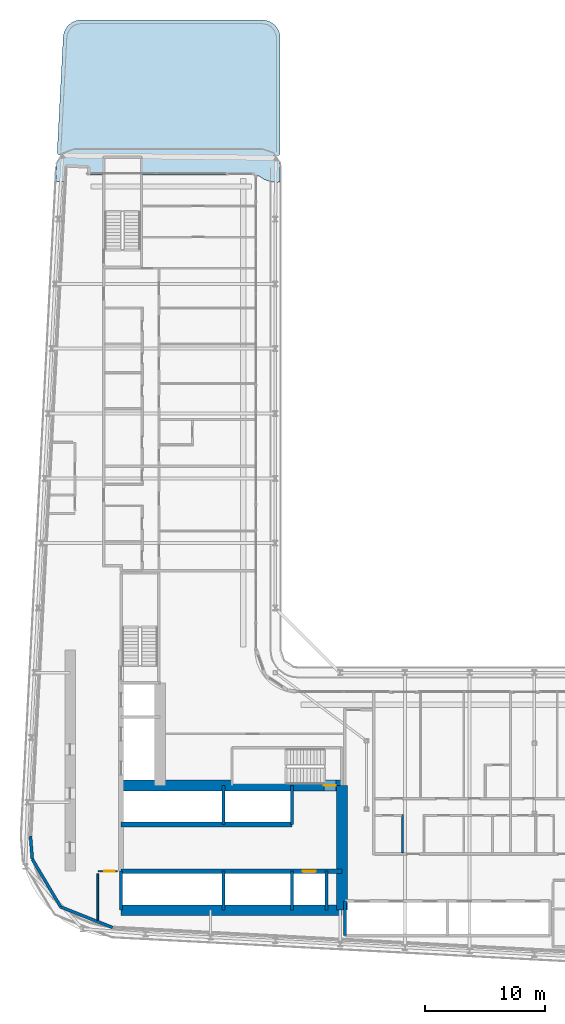
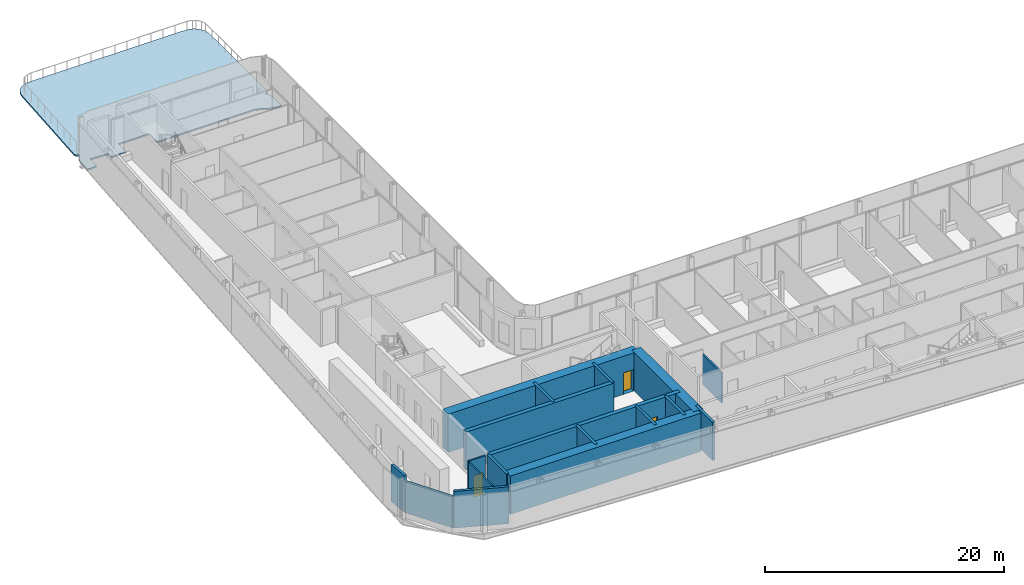
# One storey, part 12 of 28: 18 walls, 3 doors, 1 slab, 3 openings.
"""IFC4 building model written with IfcOpenShell, lengths in metres."""

from ifc_helpers import new_model, si_unit, direction, frame, frame_2d, origin, place, context, subcontext, project, spatial, polyline, rectangle, outline, extrude, source, transform, mapped, material, layer, layer_set, type_object, element, fill, save


model = new_model("IFC4")

# Units and contexts
model_context = context("Model", 3, precision=1e-05, world=origin(), true_north=direction((0.0, 1.0)))
body_context = subcontext(model_context, "Body", "Model", "MODEL_VIEW")
ifc_project = project(units=[si_unit("LENGTHUNIT", "METRE"), si_unit("AREAUNIT", "SQUARE_METRE"), si_unit("VOLUMEUNIT", "CUBIC_METRE"), si_unit("PLANEANGLEUNIT", "RADIAN"), si_unit("MASSUNIT", "GRAM", prefix="KILO")], contexts=[model_context])

# Site, building, storey
site_placement = place(None, origin())
site = spatial("IfcSite", under=ifc_project, at=site_placement, CompositionType="ELEMENT")
building_placement = place(site_placement, origin())
building = spatial("IfcBuilding", under=site, at=building_placement, Name="Kheshtan School and Residences Tower", CompositionType="ELEMENT")
storey_placement = place(building_placement, frame((0.0, 0.0, 94.10009765625)))
storey = spatial("IfcBuildingStorey", under=building, at=storey_placement, Name="L21", CompositionType="ELEMENT", Elevation=94.10009765625)

# Slab
ifc_material_1 = material(Name="Concrete C40/50", Category="concrete")
ifc_layer_1 = layer(ifc_material_1, 0.14990234375)
ifc_layer_set_1 = layer_set([ifc_layer_1], Name="Terrace slab 150 Concrete C40/50")
slab_type = type_object("IfcSlabType", Name="Terrace slab 150 Concrete C40/50", PredefinedType="FLOOR", material=ifc_layer_set_1)
slab_placement = place(storey_placement, frame((0.0, 0.0, -0.150146484375)))
element("IfcSlab", 1, at=slab_placement, inside=storey, type_object=slab_type, Name="Terrace slab L21", PredefinedType="FLOOR", context=body_context, shape_type="SweptSolid", body=[
    extrude(outline(polyline([(29.29296875, 86.568115234375), (29.35693359375, 87.779052734375), (29.363037109375, 87.826904296875), (29.363037109375, 87.827880859375), (29.362060546875, 87.827880859375), (29.362060546875, 87.8291015625), (29.361083984375, 87.8291015625), (29.361083984375, 87.830078125), (29.360107421875, 87.830078125), (29.360107421875, 87.8310546875), (29.35888671875, 87.8310546875), (29.35888671875, 87.83203125), (29.35888671875, 87.8330078125), (29.376953125, 87.98095703125), (29.376953125, 87.98388671875), (29.376953125, 87.985107421875), (29.3779296875, 87.985107421875), (29.3779296875, 87.986083984375), (29.37890625, 87.986083984375), (29.37890625, 87.987060546875), (29.3798828125, 87.987060546875), (29.381103515625, 87.987060546875), (29.381103515625, 87.988037109375), (29.382080078125, 87.988037109375), (29.43505859375, 88.18408203125), (29.514892578125, 88.375), (29.62109375, 88.552978515625), (29.7470703125, 88.7109375), (29.748046875, 88.7109375), (29.748046875, 88.7119140625), (29.7490234375, 88.7119140625), (29.7490234375, 88.712890625), (29.75, 88.712890625), (29.75, 88.714111328125), (29.81494140625, 88.777099609375), (29.81591796875, 88.777099609375), (29.81591796875, 88.778076171875), (29.81591796875, 88.779052734375), (29.81494140625, 88.779052734375), (29.81494140625, 88.780029296875), (29.81396484375, 88.780029296875), (29.81298828125, 88.780029296875), (29.803955078125, 88.77294921875), (29.781982421875, 88.760986328125), (29.759033203125, 88.7509765625), (29.739013671875, 88.743896484375), (29.736083984375, 88.743896484375), (29.7109375, 88.738037109375), (29.68701171875, 88.736083984375), (29.662109375, 88.735107421875), (29.636962890625, 88.737060546875), (29.613037109375, 88.741943359375), (29.610107421875, 88.741943359375), (29.589111328125, 88.7490234375), (29.56591796875, 88.758056640625), (29.5439453125, 88.77001953125), (29.52294921875, 88.782958984375), (29.507080078125, 88.7958984375), (29.507080078125, 88.797119140625), (29.506103515625, 88.797119140625), (29.506103515625, 88.798095703125), (29.5048828125, 88.798095703125), (29.5048828125, 88.799072265625), (29.50390625, 88.799072265625), (29.487060546875, 88.81591796875), (29.487060546875, 88.81689453125), (29.486083984375, 88.81689453125), (29.486083984375, 88.818115234375), (29.485107421875, 88.818115234375), (29.485107421875, 88.819091796875), (29.48388671875, 88.819091796875), (29.470947265625, 88.8349609375), (29.45703125, 88.85595703125), (29.445068359375, 88.8779296875), (29.43603515625, 88.90087890625), (29.427978515625, 88.9208984375), (29.427978515625, 88.924072265625), (29.424072265625, 88.948974609375), (29.4208984375, 88.972900390625), (29.4208984375, 88.998046875), (29.924072265625, 98.570068359375), (29.926025390625, 98.5869140625), (29.947998046875, 98.76708984375), (29.9541015625, 98.801025390625), (29.9541015625, 98.803955078125), (29.998046875, 98.967041015625), (30.010009765625, 99.0009765625), (30.077880859375, 99.159912109375), (30.092041015625, 99.18798828125), (30.178955078125, 99.3369140625), (30.18896484375, 99.35302734375), (30.199951171875, 99.367919921875), (30.304931640625, 99.4990234375), (30.305908203125, 99.4990234375), (30.305908203125, 99.5), (30.306884765625, 99.5), (30.306884765625, 99.5009765625), (30.30810546875, 99.5009765625), (30.30810546875, 99.501953125), (30.3310546875, 99.52587890625), (30.4560546875, 99.64501953125), (30.45703125, 99.64501953125), (30.45703125, 99.64599609375), (30.4580078125, 99.64599609375), (30.4580078125, 99.64697265625), (30.458984375, 99.64697265625), (30.458984375, 99.64794921875), (30.48291015625, 99.66796875), (30.6220703125, 99.76708984375), (30.65087890625, 99.783935546875), (30.804931640625, 99.864990234375), (30.8369140625, 99.87890625), (30.9990234375, 99.93701171875), (31.028076171875, 99.947021484375), (31.031005859375, 99.947021484375), (31.199951171875, 99.98291015625), (31.235107421875, 99.987060546875), (31.4140625, 99.9990234375), (31.430908203125, 100.0), (46.491943359375, 100.0), (46.508056640625, 99.9990234375), (46.678955078125, 99.988037109375), (46.7119140625, 99.98388671875), (46.8720703125, 99.951904296875), (46.903076171875, 99.944091796875), (46.906005859375, 99.944091796875), (47.05810546875, 99.89208984375), (47.089111328125, 99.87890625), (47.236083984375, 99.805908203125), (47.263916015625, 99.7900390625), (47.39990234375, 99.698974609375), (47.425048828125, 99.679931640625), (47.544921875, 99.575927734375), (47.544921875, 99.574951171875), (47.5458984375, 99.574951171875), (47.5458984375, 99.573974609375), (47.547119140625, 99.573974609375), (47.547119140625, 99.572998046875), (47.548095703125, 99.572998046875), (47.572998046875, 99.548095703125), (47.572998046875, 99.547119140625), (47.573974609375, 99.547119140625), (47.573974609375, 99.5458984375), (47.574951171875, 99.5458984375), (47.574951171875, 99.544921875), (47.575927734375, 99.544921875), (47.679931640625, 99.425048828125), (47.698974609375, 99.39990234375), (47.7900390625, 99.263916015625), (47.805908203125, 99.236083984375), (47.87890625, 99.089111328125), (47.89208984375, 99.05810546875), (47.944091796875, 98.906005859375), (47.944091796875, 98.903076171875), (47.951904296875, 98.8720703125), (47.98388671875, 98.7119140625), (47.988037109375, 98.678955078125), (47.9990234375, 98.508056640625), (48.0, 98.491943359375), (48.0, 88.924072265625), (47.9990234375, 88.89892578125), (47.9951171875, 88.875), (47.989013671875, 88.85107421875), (47.989013671875, 88.847900390625), (47.98095703125, 88.827880859375), (47.969970703125, 88.805908203125), (47.9580078125, 88.784912109375), (47.946044921875, 88.76806640625), (47.945068359375, 88.76806640625), (47.945068359375, 88.76708984375), (47.944091796875, 88.76708984375), (47.944091796875, 88.76611328125), (47.943115234375, 88.76611328125), (47.943115234375, 88.764892578125), (47.927001953125, 88.7470703125), (47.908935546875, 88.73095703125), (47.907958984375, 88.73095703125), (47.907958984375, 88.72998046875), (47.906982421875, 88.72998046875), (47.906982421875, 88.72900390625), (47.906005859375, 88.72900390625), (47.906005859375, 88.72802734375), (47.888916015625, 88.716064453125), (47.867919921875, 88.7041015625), (47.845947265625, 88.693115234375), (47.825927734375, 88.68505859375), (47.822998046875, 88.68505859375), (47.799072265625, 88.678955078125), (47.77490234375, 88.675048828125), (47.75, 88.674072265625), (47.72509765625, 88.675048828125), (47.700927734375, 88.678955078125), (47.677001953125, 88.68505859375), (47.674072265625, 88.68505859375), (47.654052734375, 88.693115234375), (47.632080078125, 88.7041015625), (47.611083984375, 88.716064453125), (47.595947265625, 88.72705078125), (47.594970703125, 88.72705078125), (47.593994140625, 88.72705078125), (47.593994140625, 88.72607421875), (47.593017578125, 88.72607421875), (47.593017578125, 88.72509765625), (47.593017578125, 88.72412109375), (47.68701171875, 88.615966796875), (47.68798828125, 88.615966796875), (47.68798828125, 88.614990234375), (47.68896484375, 88.614990234375), (47.68896484375, 88.614013671875), (47.68994140625, 88.614013671875), (47.694091796875, 88.614013671875), (47.695068359375, 88.614013671875), (47.695068359375, 88.613037109375), (47.696044921875, 88.613037109375), (47.696044921875, 88.612060546875), (47.799072265625, 88.45703125), (47.800048828125, 88.45703125), (47.800048828125, 88.4560546875), (47.801025390625, 88.4560546875), (47.801025390625, 88.455078125), (47.802001953125, 88.455078125), (47.802001953125, 88.4541015625), (47.802978515625, 88.4541015625), (47.802978515625, 88.452880859375), (47.802978515625, 88.449951171875), (47.802978515625, 88.448974609375), (47.802001953125, 88.448974609375), (47.802001953125, 88.447998046875), (47.801025390625, 88.447998046875), (47.801025390625, 88.447021484375), (47.801025390625, 88.446044921875), (47.801025390625, 88.445068359375), (47.885986328125, 88.27392578125), (47.948974609375, 88.091064453125), (47.948974609375, 88.087890625), (47.987060546875, 87.89599609375), (48.0, 87.699951171875), (48.0, 86.491943359375), (48.0, 86.490966796875), (47.9990234375, 86.490966796875), (47.863037109375, 86.47705078125), (47.837890625, 86.47607421875), (47.662109375, 86.47607421875), (47.636962890625, 86.47705078125), (47.363037109375, 86.5048828125), (47.339111328125, 86.509033203125), (47.1669921875, 86.544921875), (47.14306640625, 86.551025390625), (47.139892578125, 86.551025390625), (46.9541015625, 86.60693359375), (46.930908203125, 86.614990234375), (46.669921875, 86.72509765625), (46.64794921875, 86.736083984375), (46.5400390625, 86.7939453125), (46.51904296875, 86.805908203125), (46.291015625, 86.9560546875), (46.27099609375, 86.970947265625), (46.237060546875, 86.9990234375), (46.236083984375, 86.9990234375), (45.90087890625, 86.9990234375), (45.89990234375, 86.9990234375), (45.89990234375, 87.0), (45.89990234375, 87.097900390625), (45.89990234375, 87.09912109375), (45.89892578125, 87.09912109375), (45.89892578125, 87.10009765625), (45.89794921875, 87.10009765625), (36.35009765625, 87.10009765625), (36.35009765625, 88.4599609375), (33.39990234375, 88.4599609375), (33.39990234375, 87.10009765625), (31.925048828125, 87.10009765625), (31.924072265625, 87.10009765625), (31.952880859375, 87.639892578125), (31.952880859375, 87.64111328125), (31.951904296875, 87.64111328125), (31.951904296875, 87.64208984375), (31.950927734375, 87.64208984375), (31.949951171875, 87.64208984375), (30.260009765625, 87.73193359375), (30.259033203125, 87.73193359375), (30.259033203125, 87.73095703125), (30.258056640625, 87.73095703125), (30.258056640625, 87.72998046875), (30.258056640625, 87.72900390625), (30.25390625, 87.700927734375), (30.196044921875, 86.593994140625), (30.196044921875, 86.593017578125), (30.195068359375, 86.593017578125), (30.06005859375, 86.56591796875), (29.89404296875, 86.5458984375), (29.8701171875, 86.5439453125), (29.77490234375, 86.5380859375), (29.75, 86.537109375), (29.487060546875, 86.5419921875), (29.4619140625, 86.5439453125), (29.2939453125, 86.568115234375), (29.29296875, 86.568115234375)])), origin(), (0.0, 0.0, 1.0), 0.150146484375),
])

# Wall, opening, door
ifc_material_2 = material(Name="Concrete C50/60", Category="concrete")
ifc_layer_2 = layer(ifc_material_2, 0.39990234375)
ifc_layer_set_2 = layer_set([ifc_layer_2], Name="Core wall 400 Concrete C50/60")
wall_type_1 = type_object("IfcWallType", Name="Core wall 400 Concrete C50/60", PredefinedType="SHEAR", material=ifc_layer_set_2)
wall_1_placement = place(storey_placement, frame((34.75, 29.050048828125, 0.0), z_axis=(0.0, 0.0, 1.0), x_axis=(1.0, 0.0, 0.0)))
wall_1 = element("IfcWall", 2, at=wall_1_placement, inside=storey, type_object=wall_type_1, Name="Core wall CW-HALL-S1", PredefinedType="SHEAR", context=body_context, shape_type="SweptSolid", body=[
    extrude(rectangle(XDim=18.39990234375, YDim=0.39990234375, at=frame_2d((9.199951171875, 0.0))), origin(), (0.0, 0.0, 1.0), 3.89990234375),
])
opening_1_placement = place(wall_1_placement, frame((15.125, 0.0, 0.0)))
opening_1 = element("IfcOpeningElement", 3, at=opening_1_placement, cuts=wall_1, Name="Opening LD", PredefinedType="OPENING", context=body_context, shape_type="SweptSolid", body=[
    extrude(rectangle(XDim=1.10009765625, YDim=2.199951171875, at=frame_2d((0.550048828125, 1.10009765625))), frame((0.0, 0.2099609375, 0.0), z_axis=(0.0, -1.0, 0.0), x_axis=(1.0, 0.0, 0.0)), (0.0, 0.0, 1.0), 0.419921875),
])
ifc_material_3 = material(Name="Stainless steel door leaves", Category="steel")
door_type_1 = type_object("IfcDoorType", Name="Lift landing door 1100", OperationType="SLIDING_TO_LEFT", PredefinedType="DOOR", material=ifc_material_3)
shared_shape_1 = source(origin(), body_context, "Body", "SweptSolid", [
    extrude(rectangle(XDim=1.10009765625, YDim=2.199951171875, at=frame_2d((0.550048828125, 1.10009765625))), frame((0.0, 0.02490234375, 0.0), z_axis=(0.0, -1.0, 0.0), x_axis=(1.0, 0.0, 0.0)), (0.0, 0.0, 1.0), 0.050048828125),
])
door_1_placement = place(opening_1_placement, origin())
door_1 = element("IfcDoor", 4, at=door_1_placement, inside=storey, type_object=door_type_1, Name="Lift FFL2 landing door", OperationType="SLIDING_TO_LEFT", OverallHeight=2.199951171875, OverallWidth=1.10009765625, PredefinedType="DOOR", context=body_context, shape_type="MappedRepresentation", body=[
    mapped(shared_shape_1, transform((0.0, 0.0, 0.0), x_axis=(1.0, 0.0, 0.0), y_axis=(0.0, 1.0, 0.0), z_axis=(0.0, 0.0, 1.0), scale=1.0)),
])
fill(opening_1, door_1)

# Walls
wall_2_placement = place(storey_placement, frame((34.75, 32.949951171875, 0.0), z_axis=(0.0, 0.0, 1.0), x_axis=(1.0, 0.0, 0.0)))
element("IfcWall", 5, at=wall_2_placement, inside=storey, type_object=wall_type_1, Name="Core wall CW-HALL-S2", PredefinedType="SHEAR", context=body_context, shape_type="SweptSolid", body=[
    extrude(rectangle(XDim=14.25, YDim=0.39990234375, at=frame_2d((7.125, 0.0))), origin(), (0.0, 0.0, 1.0), 3.89990234375),
])
ifc_material_4 = material(Name="Concrete C80/95", Category="concrete")
ifc_layer_3 = layer(ifc_material_4, 0.89990234375)
ifc_layer_set_3 = layer_set([ifc_layer_3], Name="Core wall 900 Concrete C80/95")
wall_type_2 = type_object("IfcWallType", Name="Core wall 900 Concrete C80/95", PredefinedType="SHEAR", material=ifc_layer_set_3)
wall_3_placement = place(storey_placement, frame((34.75, 25.800048828125, 0.0), z_axis=(0.0, 0.0, 1.0), x_axis=(1.0, 0.0, 0.0)))
element("IfcWall", 6, at=wall_3_placement, inside=storey, type_object=wall_type_2, Name="Core wall CW-REAR-S", PredefinedType="SHEAR", context=body_context, shape_type="SweptSolid", body=[
    extrude(rectangle(XDim=18.39990234375, YDim=0.89990234375, at=frame_2d((9.199951171875, 0.0))), origin(), (0.0, 0.0, 1.0), 3.89990234375),
])

# Wall, opening, door
wall_4_placement = place(storey_placement, frame((34.75, 36.199951171875, 0.0), z_axis=(0.0, 0.0, 1.0), x_axis=(1.0, 0.0, 0.0)))
wall_4 = element("IfcWall", 7, at=wall_4_placement, inside=storey, type_object=wall_type_2, Name="Core wall CW-FRONT-S", PredefinedType="SHEAR", context=body_context, shape_type="SweptSolid", body=[
    extrude(rectangle(XDim=18.39990234375, YDim=0.89990234375, at=frame_2d((9.199951171875, 0.0))), origin(), (0.0, 0.0, 1.0), 3.89990234375),
])
opening_2_placement = place(wall_4_placement, frame((16.89990234375, 0.0, 0.0)))
opening_2 = element("IfcOpeningElement", 8, at=opening_2_placement, cuts=wall_4, Name="Opening ST1D", PredefinedType="OPENING", context=body_context, shape_type="SweptSolid", body=[
    extrude(rectangle(XDim=1.0, YDim=2.199951171875, at=frame_2d((0.5, 1.10009765625))), frame((0.0, 0.4599609375, 0.0), z_axis=(0.0, -1.0, 0.0), x_axis=(1.0, 0.0, 0.0)), (0.0, 0.0, 1.0), 0.919921875),
])
ifc_material_5 = material(Name="Steel door leaf, galvanised", Category="steel")
door_type_2 = type_object("IfcDoorType", Name="Stair door 1100 steel 90 min", OperationType="SINGLE_SWING_LEFT", PredefinedType="DOOR", material=ifc_material_5)
shared_shape_2 = source(origin(), body_context, "Body", "SweptSolid", [
    extrude(rectangle(XDim=1.0, YDim=2.199951171875, at=frame_2d((0.5, 1.10009765625))), frame((0.0, 0.02490234375, 0.0), z_axis=(0.0, -1.0, 0.0), x_axis=(1.0, 0.0, 0.0)), (0.0, 0.0, 1.0), 0.050048828125),
])
door_2_placement = place(opening_2_placement, origin())
door_2 = element("IfcDoor", 9, at=door_2_placement, inside=storey, type_object=door_type_2, Name="Stair ST1 door", OperationType="SINGLE_SWING_RIGHT", OverallHeight=2.199951171875, OverallWidth=1.0, PredefinedType="DOOR", context=body_context, shape_type="MappedRepresentation", body=[
    mapped(shared_shape_2, transform((0.0, 0.0, 0.0), x_axis=(1.0, 0.0, 0.0), y_axis=(0.0, 1.0, 0.0), z_axis=(0.0, 0.0, 1.0), scale=1.0)),
])
fill(opening_2, door_2)

# Walls
wall_5_placement = place(storey_placement, frame((53.14990234375, 25.800048828125, 0.0), z_axis=(0.0, 0.0, 1.0), x_axis=(0.0, 1.0, 0.0)))
element("IfcWall", 10, at=wall_5_placement, inside=storey, type_object=wall_type_2, Name="Core wall CW-EAST", PredefinedType="SHEAR", context=body_context, shape_type="SweptSolid", body=[
    extrude(rectangle(XDim=10.39990234375, YDim=0.89990234375, at=frame_2d((5.199951171875, 0.0))), origin(), (0.0, 0.0, 1.0), 3.89990234375),
])
ifc_material_6 = material(Name="Concrete C40/50 with ceramic cladding and mineral wool insulation", Category="concrete")
ifc_layer_4 = layer(ifc_material_6, 0.25)
ifc_layer_set_4 = layer_set([ifc_layer_4], Name="External wall 250 ceramic clad")
wall_type_3 = type_object("IfcWallType", Name="External wall 250 ceramic clad", PredefinedType="SOLIDWALL", material=ifc_layer_set_4)
wall_6_placement = place(storey_placement, frame((34.0390625, 24.35302734375, 0.0), z_axis=(0.0, 0.0, 1.0), x_axis=(-0.929352825399, 0.369192803184, 0.0)))
element("IfcWall", 11, at=wall_6_placement, inside=storey, type_object=wall_type_3, Name="External wall L21 13", PredefinedType="SOLIDWALL", context=body_context, shape_type="SweptSolid", body=[
    extrude(rectangle(XDim=4.656005859375, YDim=0.25, at=frame_2d((2.328125, 0.0))), origin(), (0.0, 0.0, 1.0), 3.75),
])
wall_7_placement = place(storey_placement, frame((29.7119140625, 26.072021484375, 0.0), z_axis=(0.0, 0.0, 1.0), x_axis=(-0.511028049012, 0.859564036662, 0.0)))
element("IfcWall", 12, at=wall_7_placement, inside=storey, type_object=wall_type_3, Name="External wall L21 14", PredefinedType="SOLIDWALL", context=body_context, shape_type="SweptSolid", body=[
    extrude(rectangle(XDim=4.633544921875, YDim=0.25, at=frame_2d((2.31689453125, 0.0))), origin(), (0.0, 0.0, 1.0), 3.14697265625),
])
wall_8_placement = place(storey_placement, frame((27.343994140625, 30.054931640625, 0.0), z_axis=(0.0, 0.0, 1.0), x_axis=(-0.077571675317, 0.99698677784, 0.0)))
element("IfcWall", 13, at=wall_8_placement, inside=storey, type_object=wall_type_3, Name="External wall L21 15", PredefinedType="SOLIDWALL", context=body_context, shape_type="SweptSolid", body=[
    extrude(rectangle(XDim=1.919921875, YDim=0.25, at=frame_2d((0.9599609375, 0.0))), origin(), (0.0, 0.0, 1.0), 3.75),
])

# Wall, opening, door
ifc_material_7 = material(Name="Fire-board shaft wall system")
ifc_layer_5 = layer(ifc_material_7, 0.14990234375)
ifc_layer_set_5 = layer_set([ifc_layer_5], Name="Service room wall 150")
wall_type_4 = type_object("IfcWallType", Name="Service room wall 150", PredefinedType="PARTITIONING", material=ifc_layer_set_5)
wall_9_placement = place(storey_placement, frame((32.804931640625, 29.050048828125, 0.0), z_axis=(0.0, 0.0, 1.0), x_axis=(1.0, 0.0, 0.0)))
wall_9 = element("IfcWall", 14, at=wall_9_placement, inside=storey, type_object=wall_type_4, Name="Service room wall", PredefinedType="PARTITIONING", context=body_context, shape_type="SweptSolid", body=[
    extrude(rectangle(XDim=1.625, YDim=0.14990234375, at=frame_2d((0.8125, 0.0))), origin(), (0.0, 0.0, 1.0), 3.89990234375),
])
opening_3_placement = place(wall_9_placement, frame((0.52294921875, 0.0, 0.0)))
opening_3 = element("IfcOpeningElement", 15, at=opening_3_placement, cuts=wall_9, Name="Opening SR90", PredefinedType="OPENING", context=body_context, shape_type="SweptSolid", body=[
    extrude(rectangle(XDim=0.89990234375, YDim=2.199951171875, at=frame_2d((0.449951171875, 1.10009765625))), frame((0.0, 0.0849609375, 0.0), z_axis=(0.0, -1.0, 0.0), x_axis=(1.0, 0.0, 0.0)), (0.0, 0.0, 1.0), 0.169921875),
])
door_type_3 = type_object("IfcDoorType", Name="Service room door 900 steel 90 min", OperationType="SINGLE_SWING_LEFT", PredefinedType="DOOR", material=ifc_material_5)
shared_shape_3 = source(origin(), body_context, "Body", "SweptSolid", [
    extrude(rectangle(XDim=0.89990234375, YDim=2.199951171875, at=frame_2d((0.449951171875, 1.10009765625))), frame((0.0, 0.02490234375, 0.0), z_axis=(0.0, -1.0, 0.0), x_axis=(1.0, 0.0, 0.0)), (0.0, 0.0, 1.0), 0.050048828125),
])
door_3_placement = place(opening_3_placement, origin())
door_3 = element("IfcDoor", 16, at=door_3_placement, inside=storey, type_object=door_type_3, Name="Service room door", OperationType="SINGLE_SWING_LEFT", OverallHeight=2.199951171875, OverallWidth=0.89990234375, PredefinedType="DOOR", context=body_context, shape_type="MappedRepresentation", body=[
    mapped(shared_shape_3, transform((0.0, 0.0, 0.0), x_axis=(1.0, 0.0, 0.0), y_axis=(0.0, 1.0, 0.0), z_axis=(0.0, 0.0, 1.0), scale=1.0)),
])
fill(opening_3, door_3)

# Walls
wall_10_placement = place(storey_placement, frame((32.804931640625, 24.97998046875, 0.0), z_axis=(0.0, 0.0, 1.0), x_axis=(0.0, 1.0, 0.0)))
element("IfcWall", 17, at=wall_10_placement, inside=storey, type_object=wall_type_4, Name="Service room wall", PredefinedType="PARTITIONING", context=body_context, shape_type="SweptSolid", body=[
    extrude(rectangle(XDim=3.875, YDim=0.14990234375, at=frame_2d((1.9375, 0.0))), origin(), (0.0, 0.0, 1.0), 3.89990234375),
])
ifc_layer_6 = layer(ifc_material_7, 0.25)
ifc_layer_set_6 = layer_set([ifc_layer_6], Name="Shaft lining wall 250")
wall_type_5 = type_object("IfcWallType", Name="Shaft lining wall 250", PredefinedType="PARTITIONING", material=ifc_layer_set_6)
for number, where, z_axis, x_axis, name in (
    (18, (34.75, 25.800048828125, 0.0), (0.0, 0.0, 1.0), (0.0, 1.0, 0.0), "Shaft lining wall"),
    (19, (43.300048828125, 25.800048828125, 0.0), (0.0, 0.0, 1.0), (0.0, 1.0, 0.0), "Shaft lining wall"),
    (20, (43.300048828125, 32.949951171875, 0.0), (0.0, 0.0, 1.0), (0.0, 1.0, 0.0), "Shaft lining wall"),
    (21, (49.0, 25.800048828125, 0.0), (0.0, 0.0, 1.0), (0.0, 1.0, 0.0), "Shaft lining wall"),
    (22, (49.0, 32.949951171875, 0.0), (0.0, 0.0, 1.0), (0.0, 1.0, 0.0), "Shaft lining wall"),
    (23, (51.85009765625, 25.800048828125, 0.0), (0.0, 0.0, 1.0), (0.0, 1.0, 0.0), "Shaft lining wall"),
):
    element("IfcWall", number, at=place(storey_placement, frame(where, z_axis=z_axis, x_axis=x_axis)), inside=storey, type_object=wall_type_5, Name=name, PredefinedType="PARTITIONING", context=body_context, shape_type="SweptSolid", body=[
        extrude(rectangle(XDim=3.25, YDim=0.25, at=frame_2d((1.625, 0.0))), origin(), (0.0, 0.0, 1.0), 3.89990234375),
    ])
wall_11_placement = place(storey_placement, frame((53.39990234375, 23.699951171875, 0.0), z_axis=(0.0, 0.0, 1.0), x_axis=(0.0, 1.0, 0.0)))
element("IfcWall", 24, at=wall_11_placement, inside=storey, type_object=wall_type_5, Name="Shaft lining wall", PredefinedType="PARTITIONING", context=body_context, shape_type="SweptSolid", body=[
    extrude(rectangle(XDim=2.85009765625, YDim=0.25, at=frame_2d((1.425048828125, 0.0))), origin(), (0.0, 0.0, 1.0), 3.89990234375),
])
ifc_material_8 = material(Name="Moisture-resistant gypsum board on steel studs", Category="steel")
ifc_layer_7 = layer(ifc_material_8, 0.14990234375)
ifc_layer_set_7 = layer_set([ifc_layer_7], Name="Wet-room partition 150")
wall_type_6 = type_object("IfcWallType", Name="Wet-room partition 150", PredefinedType="PARTITIONING", material=ifc_layer_set_7)
wall_12_placement = place(storey_placement, frame((58.199951171875, 30.60009765625, 0.0), z_axis=(0.0, 0.0, 1.0), x_axis=(0.0, 1.0, 0.0)))
element("IfcWall", 25, at=wall_12_placement, inside=storey, type_object=wall_type_6, Name="Partition L21-036", PredefinedType="PARTITIONING", context=body_context, shape_type="SweptSolid", body=[
    extrude(rectangle(XDim=3.1748046875, YDim=0.14990234375, at=frame_2d((1.58740234375, 0.0))), origin(), (0.0, 0.0, 1.0), 3.072021484375),
])

save(model, "model.ifc")
